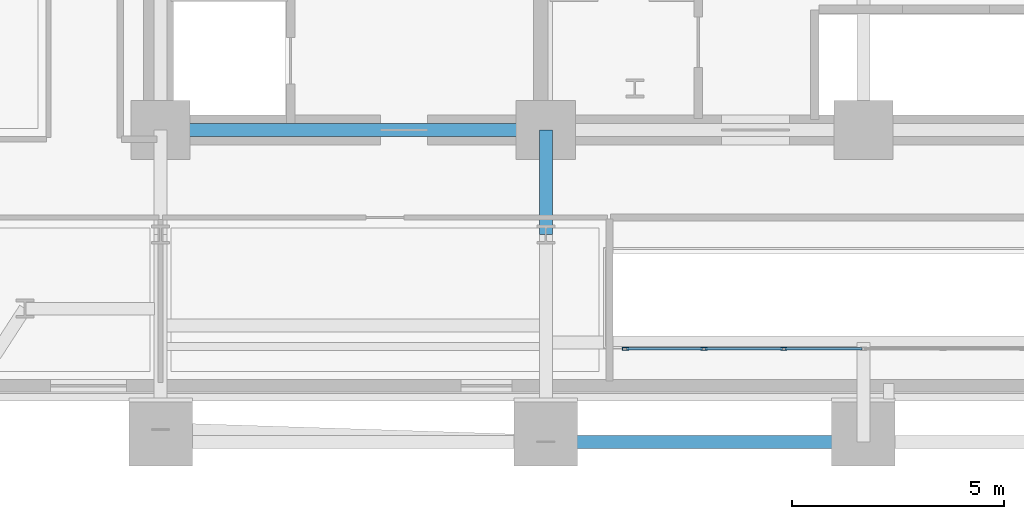
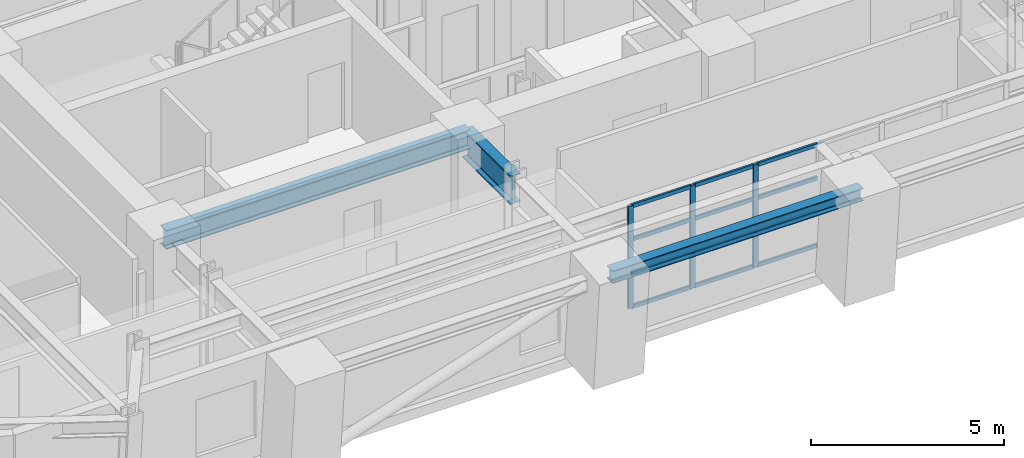
# One storey, part 2 of 14: 15 members, 3 beams, 1 element without a shape of its own.
"""IFC4 building model written with IfcOpenShell, lengths in metres."""

from ifc_helpers import new_model, si_unit, direction, frame, origin, origin_2d, place, context, subcontext, project, spatial, hollow_rectangle, i_section, extrude, material, layer, layer_set, material_profile, profile_set, type_object, element, aggregate, save


model = new_model("IFC4")

# Units and contexts
model_context = context("Model", 3, precision=1e-05, world=origin(), true_north=direction((0.0, 1.0)))
body_context = subcontext(model_context, "Body", "Model", "MODEL_VIEW")
ifc_project = project(units=[si_unit("LENGTHUNIT", "METRE"), si_unit("AREAUNIT", "SQUARE_METRE"), si_unit("VOLUMEUNIT", "CUBIC_METRE"), si_unit("PLANEANGLEUNIT", "RADIAN"), si_unit("MASSUNIT", "GRAM", prefix="KILO")], contexts=[model_context])

# Site, building, storey
site_placement = place(None, origin())
site = spatial("IfcSite", under=ifc_project, at=site_placement, CompositionType="ELEMENT")
building_placement = place(site_placement, origin())
building = spatial("IfcBuilding", under=site, at=building_placement, Name="Zarnavel Station Tower", CompositionType="ELEMENT")
storey_placement = place(building_placement, frame((0.0, 0.0, 60.5)))
storey = spatial("IfcBuildingStorey", under=building, at=storey_placement, Name="L16", CompositionType="ELEMENT", Elevation=60.5)

# Curtain wall, members
ifc_material_1 = material(Name="Aluminium Dark Anodised and Solar-Control Glass", Category="aluminium")
ifc_layer = layer(ifc_material_1, 0.179931640625)
ifc_layer_set = layer_set([ifc_layer], Name="CWS2")
curtain_wall_type = type_object("IfcCurtainWallType", Name="CWS2", PredefinedType="NOTDEFINED", material=ifc_layer_set)
curtain_wall_placement = place(storey_placement, origin())
curtain_wall = element("IfcCurtainWall", 1, at=curtain_wall_placement, inside=storey, type_object=curtain_wall_type, Name="L16 Curtain Wall CWS2-L16-AS", PredefinedType="NOTDEFINED")
ifc_material_2 = material(Name="Steel S355J2 (Black Fluoropolymer Coated)", Category="steel")
ifc_material_profile_1 = material_profile(ifc_material_2, hollow_rectangle(XDim=0.074951171875, YDim=0.14990234375, WallThickness=0.00634765625, at=origin_2d()), Name="RHS150x75x6.3")
ifc_profile_set_1 = profile_set([ifc_material_profile_1], Name="Steel S355J2 (Black Fluoropolymer Coated)")
member_type_1 = type_object("IfcMemberType", Name="CWS2_MUL", PredefinedType="MULLION", material=ifc_profile_set_1)
member_1_placement = place(storey_placement, frame((23.179931640625, 22.64990234375, 0.0), z_axis=(0.0, 0.0, 1.0), x_axis=(0.0, 1.0, 0.0)))
member_1 = element("IfcMember", 2, at=member_1_placement, type_object=member_type_1, Name="CW2 mullion 1", PredefinedType="MULLION", context=body_context, shape_type="SweptSolid", body=[
    extrude(hollow_rectangle(XDim=0.074951171875, YDim=0.14990234375, WallThickness=0.00634765625, at=origin_2d()), origin(), (0.0, 0.0, 1.0), 3.239990234375),
])
member_2_placement = place(storey_placement, frame((25.033447265625, 22.64990234375, 0.0), z_axis=(0.0, 0.0, 1.0), x_axis=(0.0, 1.0, 0.0)))
member_2 = element("IfcMember", 3, at=member_2_placement, type_object=member_type_1, Name="CW2 mullion 2", PredefinedType="MULLION", context=body_context, shape_type="SweptSolid", body=[
    extrude(hollow_rectangle(XDim=0.074951171875, YDim=0.14990234375, WallThickness=0.00634765625, at=origin_2d()), origin(), (0.0, 0.0, 1.0), 3.239990234375),
])
member_3_placement = place(storey_placement, frame((26.916748046875, 22.64990234375, 0.0), z_axis=(0.0, 0.0, 1.0), x_axis=(0.0, 1.0, 0.0)))
member_3 = element("IfcMember", 4, at=member_3_placement, type_object=member_type_1, Name="CW2 mullion 3", PredefinedType="MULLION", context=body_context, shape_type="SweptSolid", body=[
    extrude(hollow_rectangle(XDim=0.074951171875, YDim=0.14990234375, WallThickness=0.00634765625, at=origin_2d()), origin(), (0.0, 0.0, 1.0), 3.239990234375),
])
ifc_material_3 = material(Name="Steel S355J2 (Black Fluoropolymer Coated)", Category="steel")
ifc_material_profile_2 = material_profile(ifc_material_3, hollow_rectangle(XDim=0.06005859375, YDim=0.1201171875, WallThickness=0.0048828125, at=origin_2d()), Name="RHS120x60x5")
ifc_profile_set_2 = profile_set([ifc_material_profile_2], Name="Steel S355J2 (Black Fluoropolymer Coated)")
member_type_2 = type_object("IfcMemberType", Name="CWS2_TRN", PredefinedType="USERDEFINED", material=ifc_profile_set_2)
member_4_placement = place(storey_placement, frame((23.2099609375, 22.64990234375, 0.030029296875), z_axis=(1.0, 0.0, 0.0), x_axis=(0.0, 1.0, 0.0)))
member_4 = element("IfcMember", 5, at=member_4_placement, type_object=member_type_2, Name="CW2 transom 1.1", ObjectType="TRANSOM", PredefinedType="USERDEFINED", context=body_context, shape_type="SweptSolid", body=[
    extrude(hollow_rectangle(XDim=0.06005859375, YDim=0.1201171875, WallThickness=0.0048828125, at=origin_2d()), origin(), (0.0, 0.0, 1.0), 1.79345703125),
])
member_5_placement = place(storey_placement, frame((23.2099609375, 22.64990234375, 1.080078125), z_axis=(1.0, 0.0, 0.0), x_axis=(0.0, 1.0, 0.0)))
member_5 = element("IfcMember", 6, at=member_5_placement, type_object=member_type_2, Name="CW2 transom 1.2", ObjectType="TRANSOM", PredefinedType="USERDEFINED", context=body_context, shape_type="SweptSolid", body=[
    extrude(hollow_rectangle(XDim=0.06005859375, YDim=0.1201171875, WallThickness=0.0048828125, at=origin_2d()), origin(), (0.0, 0.0, 1.0), 1.79345703125),
])
member_6_placement = place(storey_placement, frame((23.2099609375, 22.64990234375, 2.159912109375), z_axis=(1.0, 0.0, 0.0), x_axis=(0.0, 1.0, 0.0)))
member_6 = element("IfcMember", 7, at=member_6_placement, type_object=member_type_2, Name="CW2 transom 1.3", ObjectType="TRANSOM", PredefinedType="USERDEFINED", context=body_context, shape_type="SweptSolid", body=[
    extrude(hollow_rectangle(XDim=0.06005859375, YDim=0.1201171875, WallThickness=0.0048828125, at=origin_2d()), origin(), (0.0, 0.0, 1.0), 1.79345703125),
])
member_7_placement = place(storey_placement, frame((23.2099609375, 22.64990234375, 3.2099609375), z_axis=(1.0, 0.0, 0.0), x_axis=(0.0, 1.0, 0.0)))
member_7 = element("IfcMember", 8, at=member_7_placement, type_object=member_type_2, Name="CW2 transom 1.4", ObjectType="TRANSOM", PredefinedType="USERDEFINED", context=body_context, shape_type="SweptSolid", body=[
    extrude(hollow_rectangle(XDim=0.06005859375, YDim=0.1201171875, WallThickness=0.0048828125, at=origin_2d()), origin(), (0.0, 0.0, 1.0), 1.79345703125),
])
member_8_placement = place(storey_placement, frame((25.063232421875, 22.64990234375, 0.030029296875), z_axis=(1.0, 0.0, 0.0), x_axis=(0.0, 1.0, 0.0)))
member_8 = element("IfcMember", 9, at=member_8_placement, type_object=member_type_2, Name="CW2 transom 2.1", ObjectType="TRANSOM", PredefinedType="USERDEFINED", context=body_context, shape_type="SweptSolid", body=[
    extrude(hollow_rectangle(XDim=0.06005859375, YDim=0.1201171875, WallThickness=0.0048828125, at=origin_2d()), origin(), (0.0, 0.0, 1.0), 1.823486328125),
])
member_9_placement = place(storey_placement, frame((25.063232421875, 22.64990234375, 1.080078125), z_axis=(1.0, 0.0, 0.0), x_axis=(0.0, 1.0, 0.0)))
member_9 = element("IfcMember", 10, at=member_9_placement, type_object=member_type_2, Name="CW2 transom 2.2", ObjectType="TRANSOM", PredefinedType="USERDEFINED", context=body_context, shape_type="SweptSolid", body=[
    extrude(hollow_rectangle(XDim=0.06005859375, YDim=0.1201171875, WallThickness=0.0048828125, at=origin_2d()), origin(), (0.0, 0.0, 1.0), 1.823486328125),
])
member_10_placement = place(storey_placement, frame((25.063232421875, 22.64990234375, 2.159912109375), z_axis=(1.0, 0.0, 0.0), x_axis=(0.0, 1.0, 0.0)))
member_10 = element("IfcMember", 11, at=member_10_placement, type_object=member_type_2, Name="CW2 transom 2.3", ObjectType="TRANSOM", PredefinedType="USERDEFINED", context=body_context, shape_type="SweptSolid", body=[
    extrude(hollow_rectangle(XDim=0.06005859375, YDim=0.1201171875, WallThickness=0.0048828125, at=origin_2d()), origin(), (0.0, 0.0, 1.0), 1.823486328125),
])
member_11_placement = place(storey_placement, frame((25.063232421875, 22.64990234375, 3.2099609375), z_axis=(1.0, 0.0, 0.0), x_axis=(0.0, 1.0, 0.0)))
member_11 = element("IfcMember", 12, at=member_11_placement, type_object=member_type_2, Name="CW2 transom 2.4", ObjectType="TRANSOM", PredefinedType="USERDEFINED", context=body_context, shape_type="SweptSolid", body=[
    extrude(hollow_rectangle(XDim=0.06005859375, YDim=0.1201171875, WallThickness=0.0048828125, at=origin_2d()), origin(), (0.0, 0.0, 1.0), 1.823486328125),
])
member_12_placement = place(storey_placement, frame((26.94677734375, 22.64990234375, 0.030029296875), z_axis=(1.0, 0.0, 0.0), x_axis=(0.0, 1.0, 0.0)))
member_12 = element("IfcMember", 13, at=member_12_placement, type_object=member_type_2, Name="CW2 transom 3.1", ObjectType="TRANSOM", PredefinedType="USERDEFINED", context=body_context, shape_type="SweptSolid", body=[
    extrude(hollow_rectangle(XDim=0.06005859375, YDim=0.1201171875, WallThickness=0.0048828125, at=origin_2d()), origin(), (0.0, 0.0, 1.0), 1.8232421875),
])
member_13_placement = place(storey_placement, frame((26.94677734375, 22.64990234375, 1.080078125), z_axis=(1.0, 0.0, 0.0), x_axis=(0.0, 1.0, 0.0)))
member_13 = element("IfcMember", 14, at=member_13_placement, type_object=member_type_2, Name="CW2 transom 3.2", ObjectType="TRANSOM", PredefinedType="USERDEFINED", context=body_context, shape_type="SweptSolid", body=[
    extrude(hollow_rectangle(XDim=0.06005859375, YDim=0.1201171875, WallThickness=0.0048828125, at=origin_2d()), origin(), (0.0, 0.0, 1.0), 1.8232421875),
])
member_14_placement = place(storey_placement, frame((26.94677734375, 22.64990234375, 2.159912109375), z_axis=(1.0, 0.0, 0.0), x_axis=(0.0, 1.0, 0.0)))
member_14 = element("IfcMember", 15, at=member_14_placement, type_object=member_type_2, Name="CW2 transom 3.3", ObjectType="TRANSOM", PredefinedType="USERDEFINED", context=body_context, shape_type="SweptSolid", body=[
    extrude(hollow_rectangle(XDim=0.06005859375, YDim=0.1201171875, WallThickness=0.0048828125, at=origin_2d()), origin(), (0.0, 0.0, 1.0), 1.8232421875),
])
member_15_placement = place(storey_placement, frame((26.94677734375, 22.64990234375, 3.2099609375), z_axis=(1.0, 0.0, 0.0), x_axis=(0.0, 1.0, 0.0)))
member_15 = element("IfcMember", 16, at=member_15_placement, type_object=member_type_2, Name="CW2 transom 3.4", ObjectType="TRANSOM", PredefinedType="USERDEFINED", context=body_context, shape_type="SweptSolid", body=[
    extrude(hollow_rectangle(XDim=0.06005859375, YDim=0.1201171875, WallThickness=0.0048828125, at=origin_2d()), origin(), (0.0, 0.0, 1.0), 1.8232421875),
])
aggregate(curtain_wall, [member_1, member_2, member_3, member_4, member_5, member_6, member_7, member_8, member_9, member_10, member_11, member_12, member_13, member_14, member_15])

# Beams
ifc_material_4 = material(Name="Steel S355J2", Category="steel")
ifc_material_profile_3 = material_profile(ifc_material_4, i_section(OverallWidth=0.300048828125, OverallDepth=0.39990234375, WebThickness=0.013427734375, FlangeThickness=0.02392578125, FilletRadius=0.027099609375, at=origin_2d()), Name="HEB400")
ifc_profile_set_3 = profile_set([ifc_material_profile_3], Name="Steel S355J2")
beam_type_1 = type_object("IfcBeamType", Name="EB_HEB400", PredefinedType="SPANDREL", material=ifc_profile_set_3)
beam_1_placement = place(storey_placement, frame((21.300048828125, 20.451904296875, 3.0400390625), z_axis=(1.0, 0.0, 0.0), x_axis=(0.0, 1.0, 0.0)))
element("IfcBeam", 17, at=beam_1_placement, inside=storey, type_object=beam_type_1, Name="L16 South Raked Spandrel 2", PredefinedType="SPANDREL", context=body_context, shape_type="SweptSolid", body=[
    extrude(i_section(OverallWidth=0.300048828125, OverallDepth=0.39990234375, WebThickness=0.013427734375, FlangeThickness=0.02392578125, FilletRadius=0.027099609375, at=origin_2d()), origin(), (0.0, 0.0, 1.0), 7.5),
])
ifc_material_5 = material(Name="Steel S355J2", Category="steel")
ifc_material_profile_4 = material_profile(ifc_material_5, i_section(OverallWidth=0.300048828125, OverallDepth=0.60009765625, WebThickness=0.015380859375, FlangeThickness=0.030029296875, FilletRadius=0.027099609375, at=origin_2d()), Name="HEB600")
ifc_profile_set_4 = profile_set([ifc_material_profile_4], Name="Steel S355J2")
beam_type_2 = type_object("IfcBeamType", Name="FG_HEB600", PredefinedType="USERDEFINED", material=ifc_profile_set_4)
beam_2_placement = place(storey_placement, frame((12.199951171875, 27.820068359375, 2.93994140625), z_axis=(1.0, 0.0, 0.0), x_axis=(0.0, 1.0, 0.0)))
element("IfcBeam", 18, at=beam_2_placement, inside=storey, type_object=beam_type_2, Name="L16 Core Front Coupling Beam 1", ObjectType="GIRDER", PredefinedType="USERDEFINED", context=body_context, shape_type="SweptSolid", body=[
    extrude(i_section(OverallWidth=0.300048828125, OverallDepth=0.60009765625, WebThickness=0.015380859375, FlangeThickness=0.030029296875, FilletRadius=0.027099609375, at=origin_2d()), origin(), (0.0, 0.0, 1.0), 9.10009765625),
])
ifc_material_6 = material(Name="Steel S460M", Category="steel")
ifc_material_profile_5 = material_profile(ifc_material_6, i_section(OverallWidth=0.302001953125, OverallDepth=0.909912109375, WebThickness=0.02099609375, FlangeThickness=0.0400390625, FilletRadius=0.030029296875, at=origin_2d()), Name="HEM900")
ifc_profile_set_5 = profile_set([ifc_material_profile_5], Name="Steel S460M")
beam_type_3 = type_object("IfcBeamType", Name="TG_HEM900", PredefinedType="USERDEFINED", material=ifc_profile_set_5)
beam_3_placement = place(storey_placement, frame((21.300048828125, 25.35009765625, 2.784912109375), z_axis=(0.0, 1.0, 0.0), x_axis=(-1.0, 0.0, 0.0)))
element("IfcBeam", 19, at=beam_3_placement, inside=storey, type_object=beam_type_3, Name="L16 Inner-Zone NS Girder 2", ObjectType="GIRDER", PredefinedType="USERDEFINED", context=body_context, shape_type="SweptSolid", body=[
    extrude(i_section(OverallWidth=0.302001953125, OverallDepth=0.909912109375, WebThickness=0.02099609375, FlangeThickness=0.0400390625, FilletRadius=0.030029296875, at=origin_2d()), origin(), (0.0, 0.0, 1.0), 2.469970703125),
])

save(model, "model.ifc")
